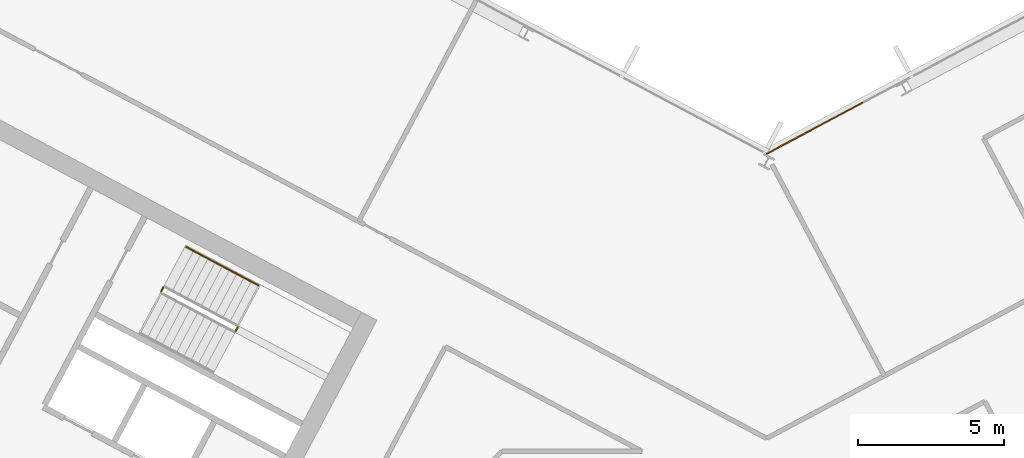
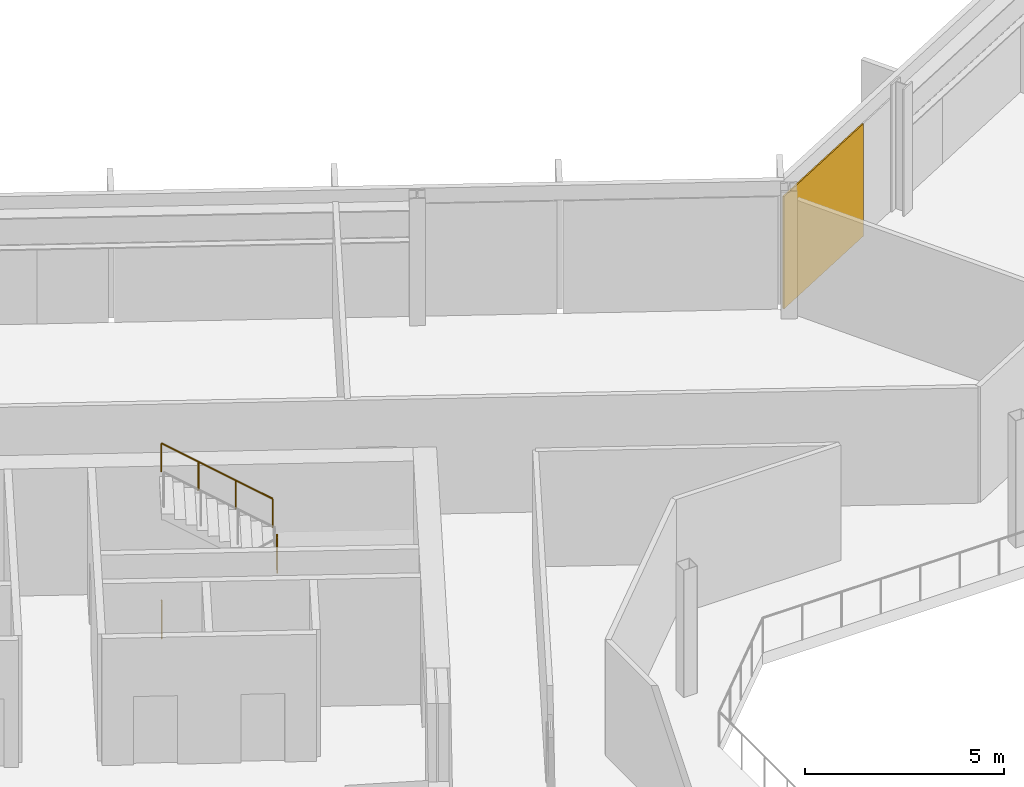
# One storey, part 22 of 26: 3 railings, 1 covering, 1 element without a shape of its own.
"""IFC4 building model written with IfcOpenShell, lengths in metres."""

from ifc_helpers import new_model, si_unit, direction, frame, origin, origin_2d, place, context, subcontext, project, spatial, polyline, rectangle, outline, extrude, material, layer, layer_set, type_object, element, aggregate, save


model = new_model("IFC4")

# Units and contexts
model_context = context("Model", 3, precision=1e-05, world=origin(), true_north=direction((0.0, 1.0)))
body_context = subcontext(model_context, "Body", "Model", "MODEL_VIEW")
ifc_project = project(units=[si_unit("LENGTHUNIT", "METRE"), si_unit("AREAUNIT", "SQUARE_METRE"), si_unit("VOLUMEUNIT", "CUBIC_METRE"), si_unit("PLANEANGLEUNIT", "RADIAN"), si_unit("MASSUNIT", "GRAM", prefix="KILO")], contexts=[model_context])

# Site, building, storey
site_placement = place(None, origin())
site = spatial("IfcSite", under=ifc_project, at=site_placement, CompositionType="ELEMENT")
building_placement = place(site_placement, origin())
building = spatial("IfcBuilding", under=site, at=building_placement, Name="Cormorant Relay Tower", CompositionType="ELEMENT")
storey_placement = place(building_placement, frame((0.0, 0.0, 244.199951171875)))
storey = spatial("IfcBuildingStorey", under=building, at=storey_placement, Name="L54", CompositionType="ELEMENT", Elevation=244.199951171875)

# Curtain wall, covering
ifc_material_1 = material(Name="Aluminium 6063-T6 anodised bronze", Category="aluminium")
ifc_layer_1 = layer(ifc_material_1, 0.199951171875)
ifc_layer_set_1 = layer_set([ifc_layer_1], Name="CW1 unitised bronze curtain wall with vertical fins")
curtain_wall_type = type_object("IfcCurtainWallType", Name="CW1 unitised bronze curtain wall with vertical fins", PredefinedType="NOTDEFINED", material=ifc_layer_set_1)
curtain_wall_placement = place(storey_placement, origin())
curtain_wall = element("IfcCurtainWall", 1, at=curtain_wall_placement, inside=storey, type_object=curtain_wall_type, Name="CW1 curtain wall 8", PredefinedType="NOTDEFINED")
ifc_material_2 = material(Name="Pale bronze anodised aluminium insulated panel", Category="aluminium")
ifc_layer_2 = layer(ifc_material_2, 0.0400390625)
ifc_layer_set_2 = layer_set([ifc_layer_2], Name="CW1 pale bronze insulated panel 40")
covering_type = type_object("IfcCoveringType", Name="CW1 pale bronze insulated panel 40", PredefinedType="CLADDING", material=ifc_layer_set_2)
covering_placement = place(storey_placement, frame((1.65234375, 24.685302734375, 0.0), z_axis=(0.0, 0.0, 1.0), x_axis=(-0.882947592859, -0.469471562786, 0.0)))
covering = element("IfcCovering", 2, at=covering_placement, type_object=covering_type, Name="CW1 panel S08", PredefinedType="CLADDING", context=body_context, shape_type="SweptSolid", body=[
    extrude(rectangle(XDim=3.763916015625, YDim=0.0400390625, at=origin_2d()), origin(), (0.0, 0.0, 1.0), 3.449951171875),
])
aggregate(curtain_wall, [covering])

# Railings
ifc_material_3 = material(Name="Steel ASTM A572 Grade 50 (Fy 345 MPa)", Category="steel")
railing_type_1 = type_object("IfcRailingType", Name="Stair guard 1100", PredefinedType="GUARDRAIL", material=ifc_material_3)
railing_1_placement = place(storey_placement, frame((-18.210693359375, 17.72412109375, 1.949951171875)))
element("IfcRailing", 3, at=railing_1_placement, inside=storey, type_object=railing_type_1, Name="L54 A1 stair guard 2", PredefinedType="GUARDRAIL", context=body_context, shape_type="SweptSolid", body=[
    extrude(outline(polyline([(0.022216796875, 0.00927734375), (0.00927734375, 0.022216796875), (-0.00927734375, 0.022216796875), (-0.022216796875, 0.00927734375), (-0.022216796875, -0.00927734375), (-0.00927734375, -0.022216796875), (0.00927734375, -0.022216796875), (0.022216796875, -0.00927734375), (0.022216796875, 0.00927734375)])), frame((0.0, 0.0, 1.076171875), z_axis=(0.470503732759, 0.882398003998, 0.0), x_axis=(-0.882398003998, 0.470503732759, 0.0)), (0.0, 0.0, 1.0), 0.14990234375),
    extrude(outline(polyline([(0.019287109375, 0.008056640625), (0.008056640625, 0.019287109375), (-0.008056640625, 0.019287109375), (-0.019287109375, 0.008056640625), (-0.019287109375, -0.008056640625), (-0.008056640625, -0.019287109375), (0.008056640625, -0.019287109375), (0.019287109375, -0.008056640625), (0.019287109375, 0.008056640625)])), origin(), (0.0, 0.0, 1.0), 1.052001953125),
    extrude(outline(polyline([(0.019287109375, 0.008056640625), (0.008056640625, 0.019287109375), (-0.008056640625, 0.019287109375), (-0.019287109375, 0.008056640625), (-0.019287109375, -0.008056640625), (-0.008056640625, -0.019287109375), (0.008056640625, -0.019287109375), (0.019287109375, -0.008056640625), (0.019287109375, 0.008056640625)])), frame((0.070556640625, 0.13232421875, 0.0)), (0.0, 0.0, 1.0), 1.052001953125),
])
railing_2_placement = place(storey_placement, frame((-20.771240234375, 19.08544921875, 0.0)))
element("IfcRailing", 4, at=railing_2_placement, inside=storey, type_object=railing_type_1, Name="L54 A1 stair guard 4", PredefinedType="GUARDRAIL", context=body_context, shape_type="SweptSolid", body=[
    extrude(outline(polyline([(0.022216796875, 0.00927734375), (0.00927734375, 0.022216796875), (-0.00927734375, 0.022216796875), (-0.022216796875, 0.00927734375), (-0.022216796875, -0.00927734375), (-0.00927734375, -0.022216796875), (0.00927734375, -0.022216796875), (0.022216796875, -0.00927734375), (0.022216796875, 0.00927734375)])), frame((0.0, 0.0, 1.076171875), z_axis=(0.469828648786, 0.882757634224, 0.0), x_axis=(-0.882757634224, 0.469828648786, 0.0)), (0.0, 0.0, 1.0), 0.150146484375),
    extrude(outline(polyline([(0.019287109375, 0.008056640625), (0.008056640625, 0.019287109375), (-0.008056640625, 0.019287109375), (-0.019287109375, 0.008056640625), (-0.019287109375, -0.008056640625), (-0.008056640625, -0.019287109375), (0.008056640625, -0.019287109375), (0.019287109375, -0.008056640625), (0.019287109375, 0.008056640625)])), origin(), (0.0, 0.0, 1.0), 1.052001953125),
    extrude(outline(polyline([(0.019287109375, 0.008056640625), (0.008056640625, 0.019287109375), (-0.008056640625, 0.019287109375), (-0.019287109375, 0.008056640625), (-0.019287109375, -0.008056640625), (-0.008056640625, -0.019287109375), (0.008056640625, -0.019287109375), (0.019287109375, -0.008056640625), (0.019287109375, 0.008056640625)])), frame((0.070556640625, 0.132568359375, 0.0)), (0.0, 0.0, 1.0), 1.052001953125),
])
ifc_material_4 = material(Name="Steel ASTM A572 Grade 50 (Fy 345 MPa)", Category="steel")
railing_type_2 = type_object("IfcRailingType", Name="Stair handrail 900", PredefinedType="HANDRAIL", material=ifc_material_4)
railing_3_placement = place(storey_placement, frame((-17.433349609375, 19.292724609375, 2.12744140625)))
element("IfcRailing", 5, at=railing_3_placement, inside=storey, type_object=railing_type_2, Name="L54 A1 stair handrail 2", PredefinedType="HANDRAIL", context=body_context, shape_type="SweptSolid", body=[
    extrude(outline(polyline([(0.022216796875, 0.00927734375), (0.00927734375, 0.022216796875), (-0.00927734375, 0.022216796875), (-0.022216796875, 0.00927734375), (-0.022216796875, -0.00927734375), (-0.00927734375, -0.022216796875), (0.00927734375, -0.022216796875), (0.022216796875, -0.00927734375), (0.022216796875, 0.00927734375)])), frame((0.0, 0.0, 0.8759765625), z_axis=(-0.746001213114, 0.396649272309, 0.534931345884), x_axis=(-0.469465464807, -0.882950835185, 0.0)), (0.0, 0.0, 1.0), 3.31396484375),
    extrude(outline(polyline([(0.019287109375, 0.008056640625), (0.008056640625, 0.019287109375), (-0.008056640625, 0.019287109375), (-0.019287109375, 0.008056640625), (-0.019287109375, -0.008056640625), (-0.008056640625, -0.019287109375), (0.008056640625, -0.019287109375), (0.019287109375, -0.008056640625), (0.019287109375, 0.008056640625)])), origin(), (0.0, 0.0, 1.0), 0.851806640625),
    extrude(outline(polyline([(0.019287109375, 0.008056640625), (0.008056640625, 0.019287109375), (-0.008056640625, 0.019287109375), (-0.019287109375, 0.008056640625), (-0.019287109375, -0.008056640625), (-0.008056640625, -0.019287109375), (0.008056640625, -0.019287109375), (0.019287109375, -0.008056640625), (0.019287109375, 0.008056640625)])), frame((-0.823974609375, 0.438232421875, 0.5908203125)), (0.0, 0.0, 1.0), 0.851806640625),
    extrude(outline(polyline([(0.019287109375, 0.008056640625), (0.008056640625, 0.019287109375), (-0.008056640625, 0.019287109375), (-0.019287109375, 0.008056640625), (-0.019287109375, -0.008056640625), (-0.008056640625, -0.019287109375), (0.008056640625, -0.019287109375), (0.019287109375, -0.008056640625), (0.019287109375, 0.008056640625)])), frame((-1.648193359375, 0.876220703125, 1.181884765625)), (0.0, 0.0, 1.0), 0.851806640625),
    extrude(outline(polyline([(0.019287109375, 0.008056640625), (0.008056640625, 0.019287109375), (-0.008056640625, 0.019287109375), (-0.019287109375, 0.008056640625), (-0.019287109375, -0.008056640625), (-0.008056640625, -0.019287109375), (0.008056640625, -0.019287109375), (0.019287109375, -0.008056640625), (0.019287109375, 0.008056640625)])), frame((-2.47216796875, 1.314453125, 1.772705078125)), (0.0, 0.0, 1.0), 0.851806640625),
])

save(model, "model.ifc")
